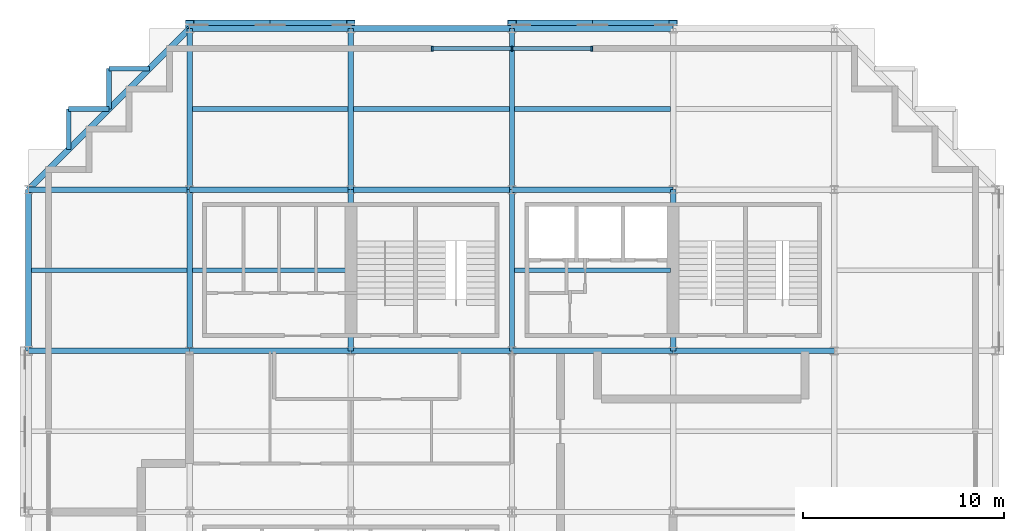
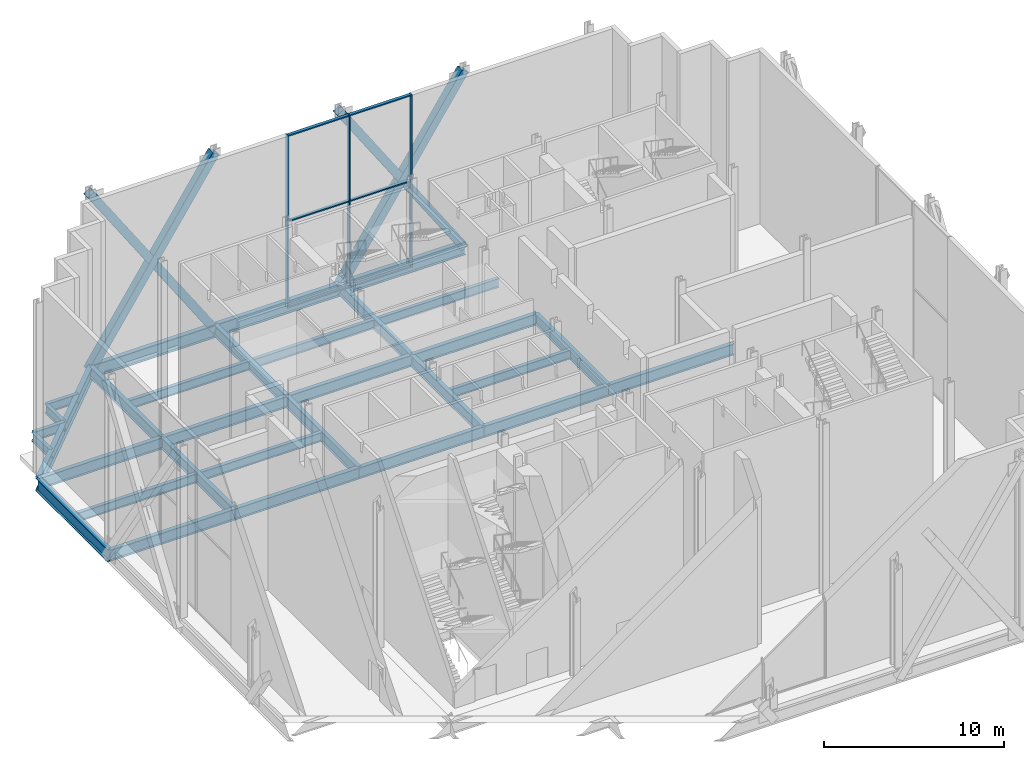
# One storey, part 5 of 14: 31 beams, 13 members, 1 element without a shape of its own.
"""IFC4 building model written with IfcOpenShell, lengths in metres."""

from ifc_helpers import new_model, si_unit, direction, frame, origin, origin_2d, place, context, subcontext, project, spatial, rectangle, hollow_rectangle, i_section, extrude, material, material_profile, profile_set, type_object, element, aggregate, save


model = new_model("IFC4")

# Units and contexts
model_context = context("Model", 3, precision=1e-05, world=origin(), true_north=direction((0.0, 1.0)))
body_context = subcontext(model_context, "Body", "Model", "MODEL_VIEW")
ifc_project = project(units=[si_unit("LENGTHUNIT", "METRE"), si_unit("AREAUNIT", "SQUARE_METRE"), si_unit("VOLUMEUNIT", "CUBIC_METRE"), si_unit("PLANEANGLEUNIT", "RADIAN"), si_unit("MASSUNIT", "GRAM", prefix="KILO")], contexts=[model_context])

# Site, building, storey
site_placement = place(None, origin())
site = spatial("IfcSite", under=ifc_project, at=site_placement, CompositionType="ELEMENT")
building_placement = place(site_placement, origin())
building = spatial("IfcBuilding", under=site, at=building_placement, Name="Immortelle Media Tower", CompositionType="ELEMENT")
storey_placement = place(building_placement, frame((0.0, 0.0, 9.0)))
storey = spatial("IfcBuildingStorey", under=building, at=storey_placement, Name="L01", CompositionType="ELEMENT", Elevation=9.0)

# Members
ifc_material_1 = material(Name="Steel ASTM A500 Gr C", Category="steel")
ifc_material_profile_1 = material_profile(ifc_material_1, hollow_rectangle(XDim=0.508056640625, YDim=0.508056640625, WallThickness=0.014892578125, at=origin_2d()), Name="HSS20x20x5/8 brace")
ifc_profile_set_1 = profile_set([ifc_material_profile_1], Name="Steel ASTM A500 Gr C")
member_type_1 = type_object("IfcMemberType", Name="HSS20x20x5/8 brace", PredefinedType="BRACE", material=ifc_profile_set_1)
for number, where, z_axis, x_axis, name in (
    (1, (32.0, 48.1640625, -0.7294921875), (-0.554700196225, 0.0, 0.832050294338), (0.0, -1.0, 0.0), "Brace G/4-5 A"),
    (2, (32.0, 48.1640625, 11.2705078125), (-0.554700196225, 0.0, -0.832050294338), (0.0, -1.0, 0.0), "Brace G/4-5 B"),
    (3, (16.0, 48.1640625, -0.7294921875), (-0.554700196225, 0.0, 0.832050294338), (0.0, -1.0, 0.0), "Brace G/2-3 A"),
    (4, (16.0, 48.1640625, 11.2705078125), (-0.554700196225, 0.0, -0.832050294338), (0.0, -1.0, 0.0), "Brace G/2-3 B"),
):
    element("IfcMember", number, at=place(storey_placement, frame(where, z_axis=z_axis, x_axis=x_axis)), inside=storey, type_object=member_type_1, Name=name, PredefinedType="BRACE", context=body_context, shape_type="SweptSolid", body=[
        extrude(hollow_rectangle(XDim=0.508056640625, YDim=0.508056640625, WallThickness=0.014892578125, at=origin_2d()), origin(), (0.0, 0.0, 1.0), 14.422119140625),
    ])

# Curtain wall, members
ifc_material_2 = material(Name="Aluminium curtain wall system", Category="aluminium")
curtain_wall_type = type_object("IfcCurtainWallType", Name="Media wall curtain wall", PredefinedType="NOTDEFINED", material=ifc_material_2)
curtain_wall_placement = place(storey_placement, origin())
curtain_wall = element("IfcCurtainWall", 5, at=curtain_wall_placement, inside=storey, type_object=curtain_wall_type, Name="Media wall L01 N 21-2", PredefinedType="NOTDEFINED")
ifc_material_3 = material(Name="Aluminium 6063-T6", Category="aluminium")
ifc_material_profile_2 = material_profile(ifc_material_3, rectangle(XDim=0.25, YDim=0.080078125, at=origin_2d()), Name="AL 80x250")
ifc_profile_set_2 = profile_set([ifc_material_profile_2], Name="Aluminium 6063-T6")
member_type_2 = type_object("IfcMemberType", Name="Media wall mullion 80 x 250", PredefinedType="MULLION", material=ifc_profile_set_2)
member_1_placement = place(storey_placement, frame((27.9599609375, 47.0, 0.0), z_axis=(0.0, 0.0, 1.0), x_axis=(0.0, -1.0, 0.0)))
member_1 = element("IfcMember", 6, at=member_1_placement, type_object=member_type_2, Name="CW3 mullion 1", PredefinedType="MULLION", context=body_context, shape_type="SweptSolid", body=[
    extrude(rectangle(XDim=0.25, YDim=0.080078125, at=origin_2d()), origin(), (0.0, 0.0, 1.0), 11.699951171875),
])
member_2_placement = place(storey_placement, frame((24.0, 47.0, 0.0), z_axis=(0.0, 0.0, 1.0), x_axis=(0.0, -1.0, 0.0)))
member_2 = element("IfcMember", 7, at=member_2_placement, type_object=member_type_2, Name="CW3 mullion 2", PredefinedType="MULLION", context=body_context, shape_type="SweptSolid", body=[
    extrude(rectangle(XDim=0.25, YDim=0.080078125, at=origin_2d()), origin(), (0.0, 0.0, 1.0), 11.699951171875),
])
member_3_placement = place(storey_placement, frame((20.0400390625, 47.0, 0.0), z_axis=(0.0, 0.0, 1.0), x_axis=(0.0, -1.0, 0.0)))
member_3 = element("IfcMember", 8, at=member_3_placement, type_object=member_type_2, Name="CW3 mullion 3", PredefinedType="MULLION", context=body_context, shape_type="SweptSolid", body=[
    extrude(rectangle(XDim=0.25, YDim=0.080078125, at=origin_2d()), origin(), (0.0, 0.0, 1.0), 11.699951171875),
])
ifc_material_profile_3 = material_profile(ifc_material_3, rectangle(XDim=0.199951171875, YDim=0.080078125, at=origin_2d()), Name="AL 80x200")
ifc_profile_set_3 = profile_set([ifc_material_profile_3], Name="Aluminium 6063-T6")
member_type_3 = type_object("IfcMemberType", Name="Media wall transom 80 x 200", PredefinedType="USERDEFINED", material=ifc_profile_set_3)
member_4_placement = place(storey_placement, frame((27.919921875, 47.0, 0.0400390625), z_axis=(-1.0, 0.0, 0.0), x_axis=(0.0, -1.0, 0.0)))
member_4 = element("IfcMember", 9, at=member_4_placement, type_object=member_type_3, Name="CW3 transom 1.1", ObjectType="TRANSOM", PredefinedType="USERDEFINED", context=body_context, shape_type="SweptSolid", body=[
    extrude(rectangle(XDim=0.199951171875, YDim=0.080078125, at=origin_2d()), origin(), (0.0, 0.0, 1.0), 3.8798828125),
])
member_5_placement = place(storey_placement, frame((27.919921875, 47.0, 5.85009765625), z_axis=(-1.0, 0.0, 0.0), x_axis=(0.0, -1.0, 0.0)))
member_5 = element("IfcMember", 10, at=member_5_placement, type_object=member_type_3, Name="CW3 transom 1.2", ObjectType="TRANSOM", PredefinedType="USERDEFINED", context=body_context, shape_type="SweptSolid", body=[
    extrude(rectangle(XDim=0.199951171875, YDim=0.080078125, at=origin_2d()), origin(), (0.0, 0.0, 1.0), 3.8798828125),
])
member_6_placement = place(storey_placement, frame((27.919921875, 47.0, 11.659912109375), z_axis=(-1.0, 0.0, 0.0), x_axis=(0.0, -1.0, 0.0)))
member_6 = element("IfcMember", 11, at=member_6_placement, type_object=member_type_3, Name="CW3 transom 1.3", ObjectType="TRANSOM", PredefinedType="USERDEFINED", context=body_context, shape_type="SweptSolid", body=[
    extrude(rectangle(XDim=0.199951171875, YDim=0.080078125, at=origin_2d()), origin(), (0.0, 0.0, 1.0), 3.8798828125),
])
member_7_placement = place(storey_placement, frame((23.9599609375, 47.0, 0.0400390625), z_axis=(-1.0, 0.0, 0.0), x_axis=(0.0, -1.0, 0.0)))
member_7 = element("IfcMember", 12, at=member_7_placement, type_object=member_type_3, Name="CW3 transom 2.1", ObjectType="TRANSOM", PredefinedType="USERDEFINED", context=body_context, shape_type="SweptSolid", body=[
    extrude(rectangle(XDim=0.199951171875, YDim=0.080078125, at=origin_2d()), origin(), (0.0, 0.0, 1.0), 3.8798828125),
])
member_8_placement = place(storey_placement, frame((23.9599609375, 47.0, 5.85009765625), z_axis=(-1.0, 0.0, 0.0), x_axis=(0.0, -1.0, 0.0)))
member_8 = element("IfcMember", 13, at=member_8_placement, type_object=member_type_3, Name="CW3 transom 2.2", ObjectType="TRANSOM", PredefinedType="USERDEFINED", context=body_context, shape_type="SweptSolid", body=[
    extrude(rectangle(XDim=0.199951171875, YDim=0.080078125, at=origin_2d()), origin(), (0.0, 0.0, 1.0), 3.8798828125),
])
member_9_placement = place(storey_placement, frame((23.9599609375, 47.0, 11.659912109375), z_axis=(-1.0, 0.0, 0.0), x_axis=(0.0, -1.0, 0.0)))
member_9 = element("IfcMember", 14, at=member_9_placement, type_object=member_type_3, Name="CW3 transom 2.3", ObjectType="TRANSOM", PredefinedType="USERDEFINED", context=body_context, shape_type="SweptSolid", body=[
    extrude(rectangle(XDim=0.199951171875, YDim=0.080078125, at=origin_2d()), origin(), (0.0, 0.0, 1.0), 3.8798828125),
])
aggregate(curtain_wall, [member_1, member_2, member_3, member_4, member_5, member_6, member_7, member_8, member_9])

# Beams
ifc_material_4 = material(Name="Steel ASTM A992 Gr 50", Category="steel")
ifc_material_profile_4 = material_profile(ifc_material_4, i_section(OverallWidth=0.22900390625, OverallDepth=0.612060546875, WebThickness=0.011962890625, FlangeThickness=0.02001953125, at=origin_2d()), Name="W24x84")
ifc_profile_set_4 = profile_set([ifc_material_profile_4], Name="Steel ASTM A992 Gr 50")
beam_type_1 = type_object("IfcBeamType", Name="W24x84 secondary beam", PredefinedType="JOIST", material=ifc_profile_set_4)
beam_1_placement = place(storey_placement, frame((0.14599609375, 36.0, -0.60595703125), z_axis=(1.0, 0.0, 0.0), x_axis=(0.0, 1.0, 0.0)))
element("IfcBeam", 15, at=beam_1_placement, inside=storey, type_object=beam_type_1, Name="Beam E-F/1-2", PredefinedType="JOIST", context=body_context, shape_type="SweptSolid", body=[
    extrude(i_section(OverallWidth=0.22900390625, OverallDepth=0.612060546875, WebThickness=0.011962890625, FlangeThickness=0.02001953125, at=origin_2d()), origin(), (0.0, 0.0, 1.0), 7.720458984375),
])
for number, where, z_axis, x_axis, name in (
    (16, (8.133544921875, 36.0, -0.60595703125), (1.0, 0.0, 0.0), (0.0, 1.0, 0.0), "Beam E-F/2-3"),
    (17, (24.133544921875, 36.0, -0.60595703125), (1.0, 0.0, 0.0), (0.0, 1.0, 0.0), "Beam E-F/4-5"),
    (18, (8.133544921875, 44.0, -0.60595703125), (1.0, 0.0, 0.0), (0.0, 1.0, 0.0), "Beam F-G/2-3"),
    (19, (16.133544921875, 44.0, -0.60595703125), (1.0, 0.0, 0.0), (0.0, 1.0, 0.0), "Beam F-G/3-4"),
    (20, (24.133544921875, 44.0, -0.60595703125), (1.0, 0.0, 0.0), (0.0, 1.0, 0.0), "Beam F-G/4-5"),
):
    element("IfcBeam", number, at=place(storey_placement, frame(where, z_axis=z_axis, x_axis=x_axis)), inside=storey, type_object=beam_type_1, Name=name, PredefinedType="JOIST", context=body_context, shape_type="SweptSolid", body=[
        extrude(i_section(OverallWidth=0.22900390625, OverallDepth=0.612060546875, WebThickness=0.011962890625, FlangeThickness=0.02001953125, at=origin_2d()), origin(), (0.0, 0.0, 1.0), 7.73291015625),
    ])
ifc_material_profile_5 = material_profile(ifc_material_4, i_section(OverallWidth=0.22900390625, OverallDepth=0.612060546875, WebThickness=0.011962890625, FlangeThickness=0.02001953125, at=origin_2d()), Name="W24x84")
ifc_profile_set_5 = profile_set([ifc_material_profile_5], Name="Steel ASTM A992 Gr 50")
beam_type_2 = type_object("IfcBeamType", Name="W24x84 serration edge beam", PredefinedType="SPANDREL", material=ifc_profile_set_5)
for number, where, z_axis, x_axis, name in (
    (21, (2.0, 42.0, -0.60595703125), (0.0, 1.0, 0.0), (-1.0, 0.0, 0.0), "Corner edge beam 1 at 1/G"),
    (22, (2.0, 44.0, -0.60595703125), (1.0, 0.0, 0.0), (0.0, 1.0, 0.0), "Corner edge beam 2 at 1/G"),
    (23, (4.0, 44.0, -0.60595703125), (0.0, 1.0, 0.0), (-1.0, 0.0, 0.0), "Corner edge beam 3 at 1/G"),
    (24, (4.0, 46.0, -0.60595703125), (1.0, 0.0, 0.0), (0.0, 1.0, 0.0), "Corner edge beam 4 at 1/G"),
):
    element("IfcBeam", number, at=place(storey_placement, frame(where, z_axis=z_axis, x_axis=x_axis)), inside=storey, type_object=beam_type_2, Name=name, PredefinedType="SPANDREL", context=body_context, shape_type="SweptSolid", body=[
        extrude(i_section(OverallWidth=0.22900390625, OverallDepth=0.612060546875, WebThickness=0.011962890625, FlangeThickness=0.02001953125, at=origin_2d()), origin(), (0.0, 0.0, 1.0), 2.0),
    ])
ifc_material_profile_6 = material_profile(ifc_material_4, i_section(OverallWidth=0.26708984375, OverallDepth=0.761962890625, WebThickness=0.013916015625, FlangeThickness=0.02197265625, at=origin_2d()), Name="W30x116")
ifc_profile_set_6 = profile_set([ifc_material_profile_6], Name="Steel ASTM A992 Gr 50")
beam_type_3 = type_object("IfcBeamType", Name="W30x116 girder", PredefinedType="BEAM", material=ifc_profile_set_6)
for number, where, z_axis, x_axis, name in (
    (25, (0.0, 32.0, -0.680908203125), (1.0, 0.0, 0.0), (0.0, 1.0, 0.0), "Girder E/1-2"),
    (26, (0.0, 40.0, -0.680908203125), (1.0, 0.0, 0.0), (0.0, 1.0, 0.0), "Girder F/1-2"),
    (27, (8.0, 32.0, -0.680908203125), (1.0, 0.0, 0.0), (0.0, 1.0, 0.0), "Girder E/2-3"),
    (28, (8.0, 32.0, -0.680908203125), (0.0, 1.0, 0.0), (-1.0, 0.0, 0.0), "Girder 2/E-F"),
    (29, (8.0, 40.0, -0.680908203125), (1.0, 0.0, 0.0), (0.0, 1.0, 0.0), "Girder F/2-3"),
    (30, (8.0, 40.0, -0.680908203125), (0.0, 1.0, 0.0), (-1.0, 0.0, 0.0), "Girder 2/F-G"),
    (31, (16.0, 32.0, -0.680908203125), (1.0, 0.0, 0.0), (0.0, 1.0, 0.0), "Girder E/3-4"),
    (32, (16.0, 32.0, -0.680908203125), (0.0, 1.0, 0.0), (-1.0, 0.0, 0.0), "Girder 3/E-F"),
    (33, (16.0, 40.0, -0.680908203125), (1.0, 0.0, 0.0), (0.0, 1.0, 0.0), "Girder F/3-4"),
    (34, (16.0, 40.0, -0.680908203125), (0.0, 1.0, 0.0), (-1.0, 0.0, 0.0), "Girder 3/F-G"),
    (35, (24.0, 32.0, -0.680908203125), (1.0, 0.0, 0.0), (0.0, 1.0, 0.0), "Girder E/4-5"),
    (36, (24.0, 32.0, -0.680908203125), (0.0, 1.0, 0.0), (-1.0, 0.0, 0.0), "Girder 4/E-F"),
    (37, (24.0, 40.0, -0.680908203125), (1.0, 0.0, 0.0), (0.0, 1.0, 0.0), "Girder F/4-5"),
    (38, (24.0, 40.0, -0.680908203125), (0.0, 1.0, 0.0), (-1.0, 0.0, 0.0), "Girder 4/F-G"),
    (39, (32.0, 32.0, -0.680908203125), (1.0, 0.0, 0.0), (0.0, 1.0, 0.0), "Girder E/5-6"),
    (40, (32.0, 32.0, -0.680908203125), (0.0, 1.0, 0.0), (-1.0, 0.0, 0.0), "Girder 5/E-F"),
):
    element("IfcBeam", number, at=place(storey_placement, frame(where, z_axis=z_axis, x_axis=x_axis)), inside=storey, type_object=beam_type_3, Name=name, PredefinedType="BEAM", context=body_context, shape_type="SweptSolid", body=[
        extrude(i_section(OverallWidth=0.26708984375, OverallDepth=0.761962890625, WebThickness=0.013916015625, FlangeThickness=0.02197265625, at=origin_2d()), origin(), (0.0, 0.0, 1.0), 8.0),
    ])
ifc_material_profile_7 = material_profile(ifc_material_4, i_section(OverallWidth=0.2919921875, OverallDepth=0.85888671875, WebThickness=0.01708984375, FlangeThickness=0.031005859375, at=origin_2d()), Name="W33x169")
ifc_profile_set_7 = profile_set([ifc_material_profile_7], Name="Steel ASTM A992 Gr 50")
beam_type_4 = type_object("IfcBeamType", Name="W33x169 perimeter girder", PredefinedType="SPANDREL", material=ifc_profile_set_7)
for number, where, z_axis, x_axis, name in (
    (41, (0.0, 32.0, -0.7294921875), (0.0, 1.0, 0.0), (-1.0, 0.0, 0.0), "Girder 1/E-F"),
    (42, (8.0, 48.0, -0.7294921875), (1.0, 0.0, 0.0), (0.0, 1.0, 0.0), "Girder G/2-3"),
    (43, (16.0, 48.0, -0.7294921875), (1.0, 0.0, 0.0), (0.0, 1.0, 0.0), "Girder G/3-4"),
    (44, (24.0, 48.0, -0.7294921875), (1.0, 0.0, 0.0), (0.0, 1.0, 0.0), "Girder G/4-5"),
):
    element("IfcBeam", number, at=place(storey_placement, frame(where, z_axis=z_axis, x_axis=x_axis)), inside=storey, type_object=beam_type_4, Name=name, PredefinedType="SPANDREL", context=body_context, shape_type="SweptSolid", body=[
        extrude(i_section(OverallWidth=0.2919921875, OverallDepth=0.85888671875, WebThickness=0.01708984375, FlangeThickness=0.031005859375, at=origin_2d()), origin(), (0.0, 0.0, 1.0), 8.0),
    ])
ifc_material_profile_8 = material_profile(ifc_material_4, i_section(OverallWidth=0.306884765625, OverallDepth=0.927001953125, WebThickness=0.01904296875, FlangeThickness=0.031982421875, at=origin_2d()), Name="W36x194")
ifc_profile_set_8 = profile_set([ifc_material_profile_8], Name="Steel ASTM A992 Gr 50")
beam_type_5 = type_object("IfcBeamType", Name="W36x194 corner girder", PredefinedType="SPANDREL", material=ifc_profile_set_8)
beam_2_placement = place(storey_placement, frame((0.0, 40.0, -0.763427734375), z_axis=(0.707106781187, 0.707106781187, 0.0), x_axis=(-0.707106781187, 0.707106781187, 0.0)))
element("IfcBeam", 45, at=beam_2_placement, inside=storey, type_object=beam_type_5, Name="Corner girder at 1/G", PredefinedType="SPANDREL", context=body_context, shape_type="SweptSolid", body=[
    extrude(i_section(OverallWidth=0.306884765625, OverallDepth=0.927001953125, WebThickness=0.01904296875, FlangeThickness=0.031982421875, at=origin_2d()), origin(), (0.0, 0.0, 1.0), 11.313720703125),
])

save(model, "model.ifc")
